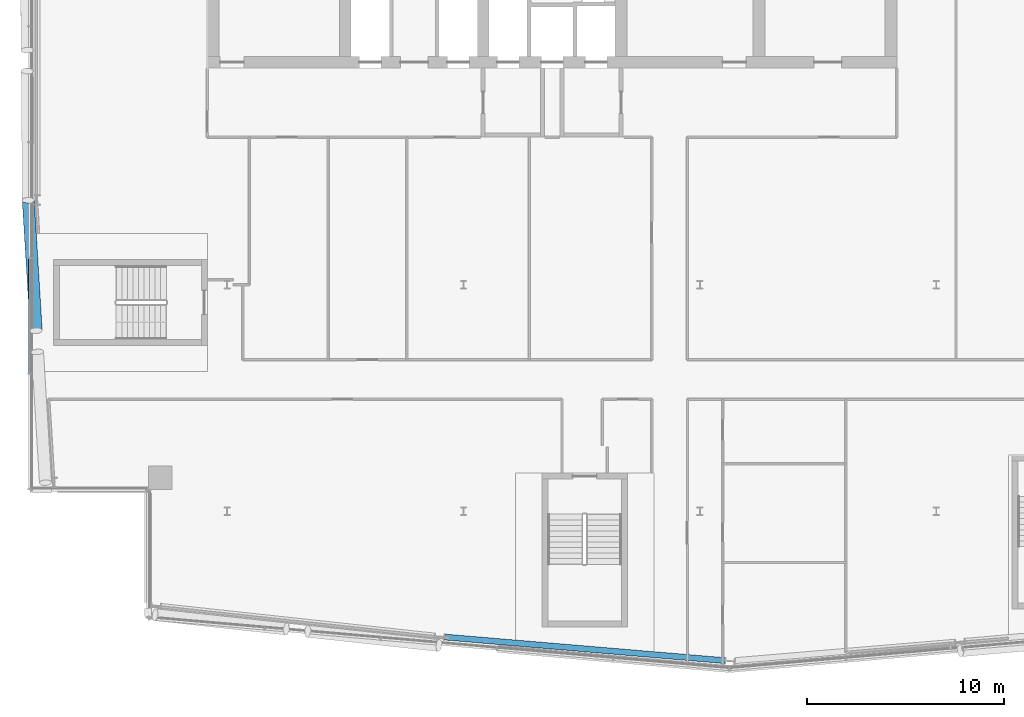
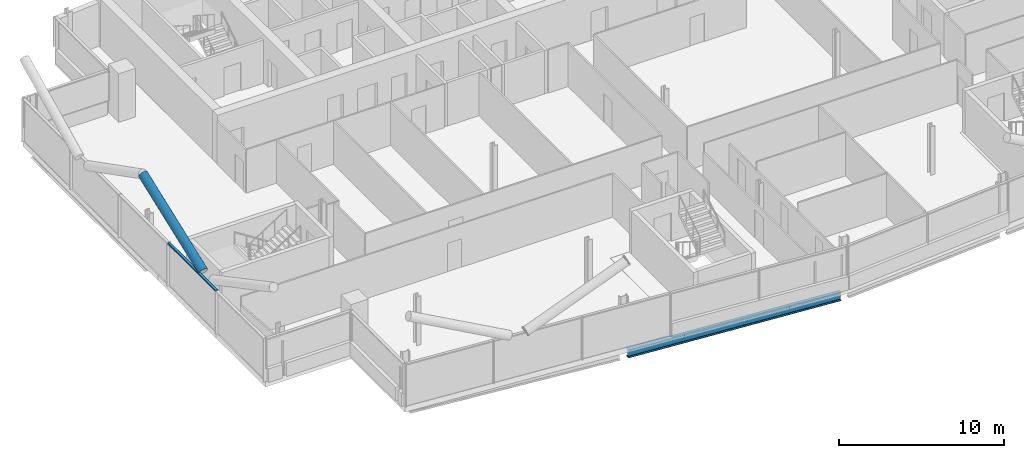
# One storey, part 6 of 26: 2 members, 1 beam, 1 element without a shape of its own.
"""IFC4 building model written with IfcOpenShell, lengths in metres."""

from ifc_helpers import new_model, si_unit, direction, frame, origin, origin_2d, place, context, subcontext, project, spatial, rectangle, hollow_circle, i_section, extrude, material, material_profile, profile_set, type_object, element, aggregate, save


model = new_model("IFC4")

# Units and contexts
model_context = context("Model", 3, precision=1e-05, world=origin(), true_north=direction((0.0, 1.0)))
body_context = subcontext(model_context, "Body", "Model", "MODEL_VIEW")
ifc_project = project(units=[si_unit("LENGTHUNIT", "METRE"), si_unit("AREAUNIT", "SQUARE_METRE"), si_unit("VOLUMEUNIT", "CUBIC_METRE"), si_unit("PLANEANGLEUNIT", "RADIAN"), si_unit("MASSUNIT", "GRAM", prefix="KILO")], contexts=[model_context])

# Site, building, storey
site_placement = place(None, origin())
site = spatial("IfcSite", under=ifc_project, at=site_placement, CompositionType="ELEMENT")
building_placement = place(site_placement, origin())
building = spatial("IfcBuilding", under=site, at=building_placement, Name="Wharfspan Tower", CompositionType="ELEMENT")
storey_placement = place(building_placement, frame((0.0, 0.0, 214.300049)))
storey = spatial("IfcBuildingStorey", under=building, at=storey_placement, Name="L53", CompositionType="ELEMENT", Elevation=214.300049)

# Beam
ifc_material_1 = material(Name="Steel S355J2", Category="steel")
ifc_material_profile_1 = material_profile(ifc_material_1, i_section(OverallWidth=0.300049, OverallDepth=0.600098, WebThickness=0.015381, FlangeThickness=0.030029, FilletRadius=0.0271, at=origin_2d()))
ifc_profile_set_1 = profile_set([ifc_material_profile_1], Name="Steel S355J2")
beam_type = type_object("IfcBeamType", Name="Edge beam HEB 600", PredefinedType="SPANDREL", material=ifc_profile_set_1)
beam_placement = place(storey_placement, frame((35.038574, 5.121582, -0.699951), z_axis=(0.996473, -0.083909, 0.0), x_axis=(0.083909, 0.996473, 0.0)))
element("IfcBeam", 1, at=beam_placement, inside=storey, type_object=beam_type, Name="Edge beam S1 L53 PS1.2 to PS1.3", PredefinedType="SPANDREL", context=body_context, shape_type="SweptSolid", body=[
    extrude(i_section(OverallWidth=0.300049, OverallDepth=0.600098, WebThickness=0.015381, FlangeThickness=0.030029, FilletRadius=0.0271, at=origin_2d()), origin(), (0.0, 0.0, 1.0), 14.277344),
])

# Member
ifc_material_2 = material(Name="Steel S460NH", Category="steel")
ifc_material_profile_2 = material_profile(ifc_material_2, hollow_circle(Radius=0.304932, WallThickness=0.024902, at=origin_2d()))
ifc_profile_set_2 = profile_set([ifc_material_profile_2], Name="Steel S460NH")
member_type_1 = type_object("IfcMemberType", Name="Mega brace CHS 610x25", PredefinedType="BRACE", material=ifc_profile_set_2)
member_1_placement = place(storey_placement, frame((14.310791, 20.670654, 3.170654), z_axis=(-0.054615, 0.892302, 0.448123), x_axis=(-0.998132, -0.061091, -3e-06)))
element("IfcMember", 2, at=member_1_placement, inside=storey, type_object=member_type_1, Name="Mega brace W4 L53 part 4", PredefinedType="BRACE", context=body_context, shape_type="SweptSolid", body=[
    extrude(hollow_circle(Radius=0.304932, WallThickness=0.024902, at=origin_2d()), origin(), (0.0, 0.0, 1.0), 7.429443),
])

# Curtain wall, member
ifc_material_3 = material(Name="Aluminium 6063-T6", Category="aluminium")
curtain_wall_type = type_object("IfcCurtainWallType", Name="CURTAIN WALL PROW AND END", PredefinedType="NOTDEFINED", material=ifc_material_3)
curtain_wall_placement = place(storey_placement, origin())
curtain_wall = element("IfcCurtainWall", 3, at=curtain_wall_placement, inside=storey, type_object=curtain_wall_type, Name="Curtain wall W", PredefinedType="NOTDEFINED")
ifc_material_profile_3 = material_profile(ifc_material_3, rectangle(XDim=0.179932, YDim=0.080078, at=origin_2d()))
ifc_profile_set_3 = profile_set([ifc_material_profile_3], Name="Aluminium 6063-T6")
member_type_2 = type_object("IfcMemberType", Name="TRANSOM PROW AND END 80x180", PredefinedType="USERDEFINED", material=ifc_profile_set_3)
member_2_placement = place(storey_placement, frame((14.0, 24.330078, 3.159912), z_axis=(0.0, -1.0, 0.0), x_axis=(1.0, 0.0, 0.0)))
member_2 = element("IfcMember", 4, at=member_2_placement, type_object=member_type_2, Name="Curtain wall W transom 4", ObjectType="TRANSOM", PredefinedType="USERDEFINED", context=body_context, shape_type="SweptSolid", body=[
    extrude(rectangle(XDim=0.179932, YDim=0.080078, at=origin_2d()), origin(), (0.0, 0.0, 1.0), 5.820068),
])
aggregate(curtain_wall, [member_2])

save(model, "model.ifc")
